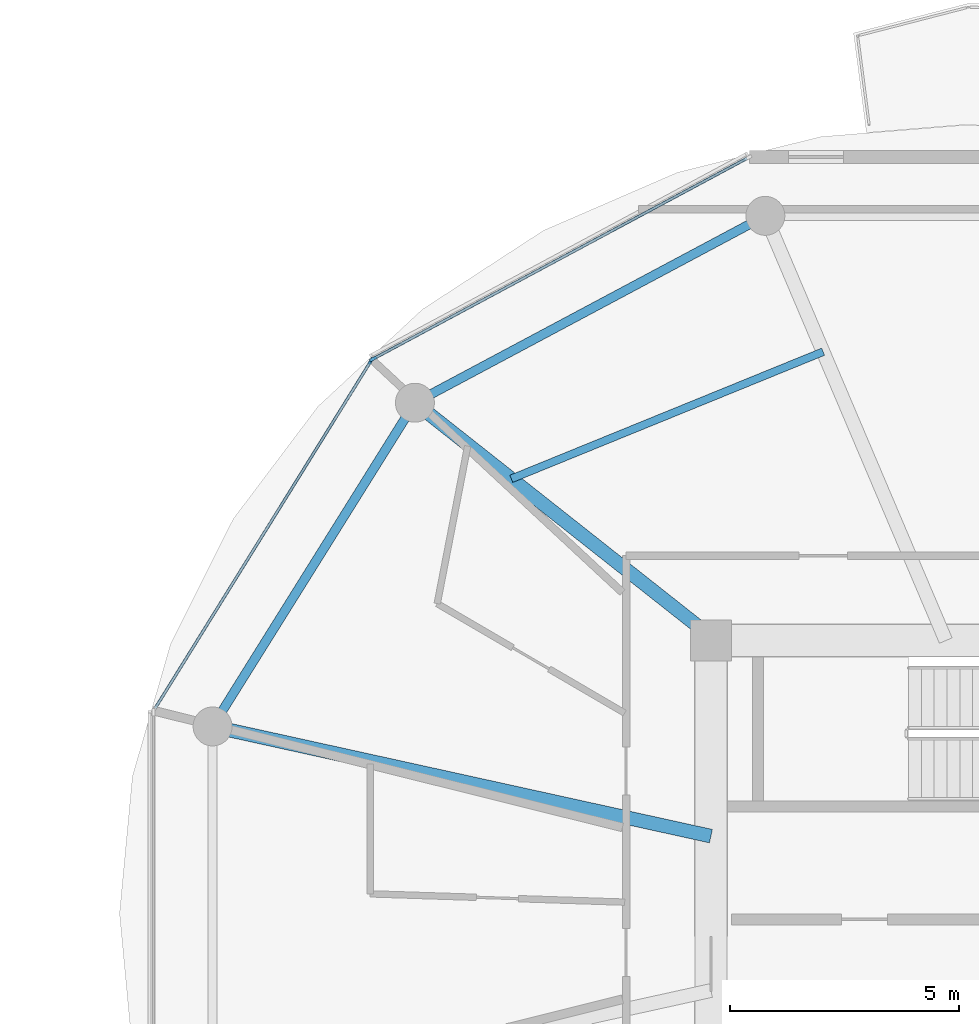
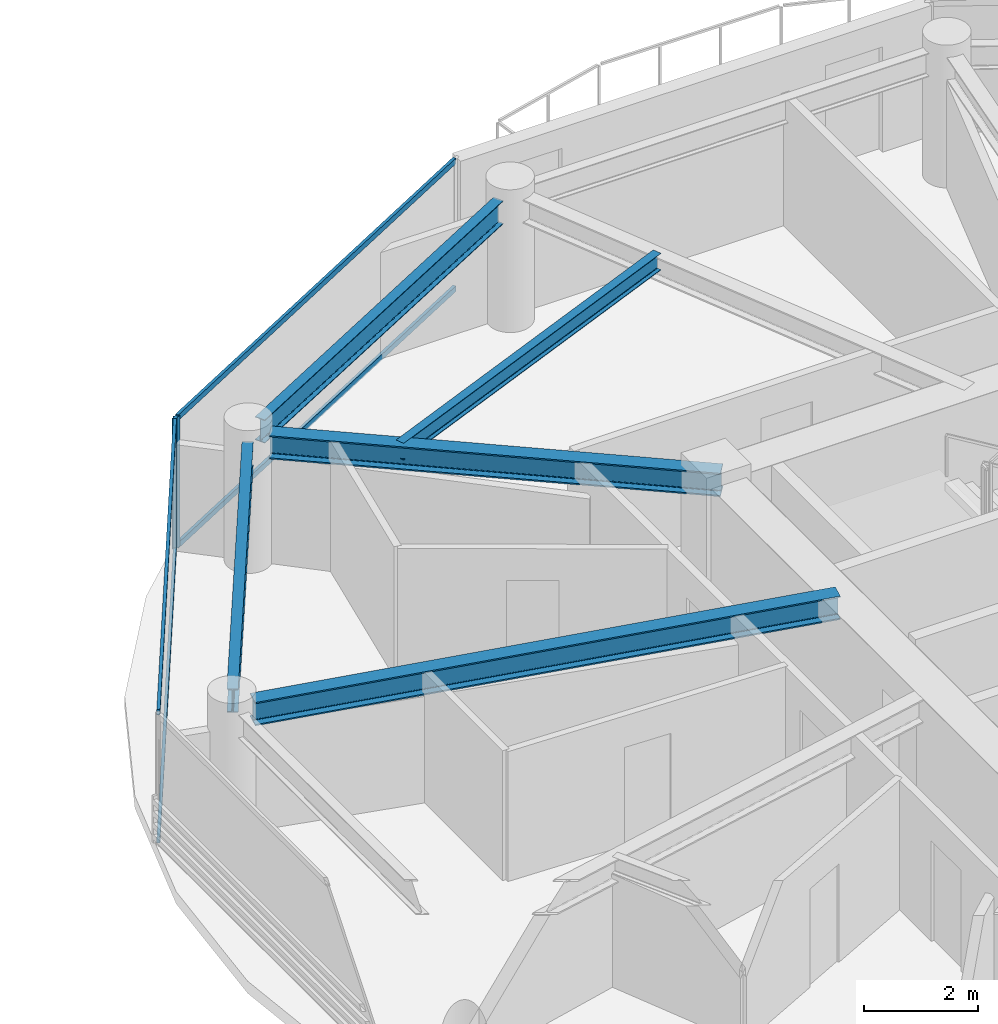
# One storey, part 8 of 24: 6 members, 5 beams, 2 elements without a shape of their own.
"""IFC4 building model written with IfcOpenShell, lengths in metres."""

import ifcopenshell
import ifcopenshell.guid

model = None  # the IFC model being written
_history = None  # IfcOwnerHistory: only IFC2X3 demands one
_inside = {}  # id of a spatial element -> (the spatial element, [elements in it])
_under = {}  # id of a project, library or spatial element -> (it, [spatial elements below it])
_declared = {}  # id of a project -> (the project, [libraries it declares])
_typed = {}  # id of a type object -> (the type object, [elements of that type])
_made_of = {}  # id of a material, layer set ... -> (it, [elements and type objects made of it])


def new_model(schema):
    """Start an empty IFC model of exactly this schema.

    Asked for "IFC4X3", IfcOpenShell would pick the latest addendum, in which some entities
    have other attributes; the version numbers below select the first issue.
    IFC2X3 requires an IfcOwnerHistory on every rooted entity: one is made here for all.
    """
    global model, _history
    if schema == "IFC4X3":
        model = ifcopenshell.file(schema_version=(4, 3, 0, 0))
    else:
        model = ifcopenshell.file(schema=schema)
    _inside.clear()
    _under.clear()
    _declared.clear()
    _typed.clear()
    _made_of.clear()
    _history = None
    if model.schema == "IFC2X3":
        org = make("IfcOrganization", Name="unknown")
        user = make(
            "IfcPersonAndOrganization",
            ThePerson=make("IfcPerson", FamilyName="unknown"),
            TheOrganization=org,
        )
        app = make(
            "IfcApplication",
            ApplicationDeveloper=org,
            Version="unknown",
            ApplicationFullName="unknown",
            ApplicationIdentifier="unknown",
        )
        _history = make(
            "IfcOwnerHistory",
            OwningUser=user,
            OwningApplication=app,
            ChangeAction="ADDED",
            CreationDate=0,
        )
    return model


def make(cls, **values):
    """One entity of the class cls with the attributes given. An attribute that is None is left unset."""
    return model.create_entity(
        cls, **{name: value for name, value in values.items() if value is not None}
    )


def rooted(cls, **values):
    """An entity with a GlobalId (a new one), such as an element, a storey or a relation."""
    return make(cls, GlobalId=ifcopenshell.guid.new(), OwnerHistory=_history, **values)


def si_unit(unit_type, name, prefix=None):
    """IfcSIUnit, for example si_unit("LENGTHUNIT", "METRE", prefix="MILLI")."""
    return make("IfcSIUnit", UnitType=unit_type, Prefix=prefix, Name=name)


def assignment(units):
    """IfcUnitAssignment: the units of a project."""
    return None if units is None else make("IfcUnitAssignment", Units=units)


def point(xyz):
    """IfcCartesianPoint."""
    return None if xyz is None else make("IfcCartesianPoint", Coordinates=xyz)


def direction(xyz):
    """IfcDirection."""
    return None if xyz is None else make("IfcDirection", DirectionRatios=xyz)


def frame(location, z_axis=None, x_axis=None):
    """IfcAxis2Placement3D, a coordinate frame: its origin and axes. An axis left out is left unset."""
    return make(
        "IfcAxis2Placement3D",
        Location=point(location),
        Axis=direction(z_axis),
        RefDirection=direction(x_axis),
    )


def frame_2d(location, x_axis=None):
    """IfcAxis2Placement2D, a coordinate frame in the plane: its origin and x axis."""
    return make(
        "IfcAxis2Placement2D", Location=point(location), RefDirection=direction(x_axis)
    )


def origin():
    """The frame at (0, 0, 0) with its axes left unset."""
    return frame((0.0, 0.0, 0.0))


def origin_2d():
    """The frame at (0, 0) in the plane with its x axis left unset."""
    return frame_2d((0.0, 0.0))


def place(relative_to, where):
    """IfcLocalPlacement: puts the frame where relative to a parent placement (None: the world)."""
    return make(
        "IfcLocalPlacement", PlacementRelTo=relative_to, RelativePlacement=where
    )


def context(
    kind, dimensions, precision=None, world=None, true_north=None, identifier=None
):
    """IfcGeometricRepresentationContext, for example the 3D "Model" context."""
    return make(
        "IfcGeometricRepresentationContext",
        ContextIdentifier=identifier,
        ContextType=kind,
        CoordinateSpaceDimension=dimensions,
        Precision=precision,
        WorldCoordinateSystem=world,
        TrueNorth=true_north,
    )


def subcontext(parent, identifier, kind, view, scale=None):
    """IfcGeometricRepresentationSubContext, for example "Body" below "Model"."""
    return make(
        "IfcGeometricRepresentationSubContext",
        ContextIdentifier=identifier,
        ContextType=kind,
        ParentContext=parent,
        TargetScale=scale,
        TargetView=view,
    )


def project(units=None, contexts=None):
    """IfcProject with its units and contexts."""
    return rooted(
        "IfcProject",
        Name="project",
        RepresentationContexts=contexts,
        UnitsInContext=assignment(units),
    )


def spatial(cls, under=None, at=None, **own):
    """A site, building, storey or space (cls), placed at a placement, below another one or the project."""
    s = rooted(cls, ObjectPlacement=at, **own)
    if under is not None:
        _under.setdefault(under.id(), (under, []))[1].append(s)
    return s


def profile(cls, at=None, kind="AREA", **sizes):
    """A parametric profile (cls). Its sizes go by their IFC names, for example OverallWidth=200.0."""
    return make(cls, ProfileType=kind, Position=at, **sizes)


def rectangle(**sizes):
    """IfcRectangleProfileDef."""
    return profile("IfcRectangleProfileDef", **sizes)


def i_section(**sizes):
    """IfcIShapeProfileDef."""
    return profile("IfcIShapeProfileDef", **sizes)


def extrude(swept, where, along, depth):
    """IfcExtrudedAreaSolid: the profile swept, set in the frame where, extruded along a direction by depth."""
    return make(
        "IfcExtrudedAreaSolid",
        SweptArea=swept,
        Position=where,
        ExtrudedDirection=direction(along),
        Depth=depth,
    )


def shape(context_of_items, identifier, shape_type, items):
    """IfcShapeRepresentation: the items that make up one representation, for example the "Body"."""
    return make(
        "IfcShapeRepresentation",
        ContextOfItems=context_of_items,
        RepresentationIdentifier=identifier,
        RepresentationType=shape_type,
        Items=items,
    )


def source(mapping_origin, context_of_items, identifier, shape_type, items):
    """IfcRepresentationMap: a shape defined once, which mapped items show again and again."""
    return make(
        "IfcRepresentationMap",
        MappingOrigin=mapping_origin,
        MappedRepresentation=shape(context_of_items, identifier, shape_type, items),
    )


def transform(
    local_origin,
    x_axis=None,
    y_axis=None,
    z_axis=None,
    scale=None,
    scale2=None,
    scale3=None,
    uniform=True,
):
    """IfcCartesianTransformationOperator3D, or its non-uniform kind. x_axis, y_axis, z_axis: its Axis1, 2, 3."""
    if uniform:
        return make(
            "IfcCartesianTransformationOperator3D",
            Axis1=direction(x_axis),
            Axis2=direction(y_axis),
            LocalOrigin=point(local_origin),
            Scale=scale,
            Axis3=direction(z_axis),
        )
    return make(
        "IfcCartesianTransformationOperator3DnonUniform",
        Axis1=direction(x_axis),
        Axis2=direction(y_axis),
        LocalOrigin=point(local_origin),
        Scale=scale,
        Axis3=direction(z_axis),
        Scale2=scale2,
        Scale3=scale3,
    )


def mapped(mapping_source, mapping_target):
    """IfcMappedItem: shows the shape of a source again, moved by a transform."""
    return make(
        "IfcMappedItem", MappingSource=mapping_source, MappingTarget=mapping_target
    )


def material(Name=None, Category=None):
    """IfcMaterial."""
    return make("IfcMaterial", Name=Name, Category=Category)


def layer(
    of_material, thickness, ventilated=None, Name=None, Category=None, Priority=None
):
    """IfcMaterialLayer: one layer of a wall or slab, of a material (None: an air gap)."""
    return make(
        "IfcMaterialLayer",
        Material=of_material,
        LayerThickness=thickness,
        IsVentilated=ventilated,
        Name=Name,
        Category=Category,
        Priority=Priority,
    )


def layer_set(layers, Name=None):
    """IfcMaterialLayerSet."""
    return make("IfcMaterialLayerSet", MaterialLayers=layers, LayerSetName=Name)


def material_profile(
    of_material, cross_section, Name=None, Category=None, Priority=None
):
    """IfcMaterialProfile: a cross section and its material."""
    return make(
        "IfcMaterialProfile",
        Name=Name,
        Material=of_material,
        Profile=cross_section,
        Priority=Priority,
        Category=Category,
    )


def profile_set(profiles, Name=None, composite=None):
    """IfcMaterialProfileSet."""
    return make(
        "IfcMaterialProfileSet",
        Name=Name,
        MaterialProfiles=profiles,
        CompositeProfile=composite,
    )


def made_of(thing, what):
    """Note that an element or type object is made of a material, layer set ...; save() writes the relation."""
    if what is not None:
        _made_of.setdefault(what.id(), (what, []))[1].append(thing)
    return thing


def type_object(cls, material=None, **own):
    """A type object (cls), such as IfcWallType, which elements share."""
    return made_of(rooted(cls, **own), material)


def type_shapes(of_type, sources):
    """Give a type object the sources (RepresentationMaps) that its elements show as mapped items."""
    of_type.RepresentationMaps = sources


def element(
    cls,
    number,
    at=None,
    inside=None,
    cuts=None,
    type_object=None,
    material=None,
    context=None,
    identifier="Body",
    shape_type=None,
    held_by="IfcProductDefinitionShape",
    body=None,
    shapes=None,
    **own,
):
    """One element of the class cls, such as IfcWall. Its Tag is "e" and its number.

    at: its placement. inside: the storey or other place that contains it. cuts: it is an
    opening in that element (IfcRelVoidsElement). A single representation is given by context,
    identifier, shape_type and body (its items); several are given by shapes. held_by: the class
    of the entity that holds the representations. save() writes the other relations.
    """
    e = rooted(cls, Tag="e%d" % number, ObjectPlacement=at, **own)
    if body is not None:
        shapes = [shape(context, identifier, shape_type, body)]
    if shapes is not None:
        e.Representation = make(held_by, Representations=shapes)
    if inside is not None:
        _inside.setdefault(inside.id(), (inside, []))[1].append(e)
    if cuts is not None:
        rooted(
            "IfcRelVoidsElement", RelatingBuildingElement=cuts, RelatedOpeningElement=e
        )
    if type_object is not None:
        _typed.setdefault(type_object.id(), (type_object, []))[1].append(e)
    return made_of(e, material)


def aggregate(whole, parts):
    """IfcRelAggregates: a whole, such as a stair, and the parts it consists of."""
    return rooted("IfcRelAggregates", RelatingObject=whole, RelatedObjects=parts)


def save(model, path):
    """Write the relations noted so far, then the file.

    IfcRelAggregates (storeys below a building ...), IfcRelContainedInSpatialStructure (elements
    in a storey), IfcRelDefinesByType, IfcRelAssociatesMaterial and IfcRelDeclares: one each for
    every whole, place, type object, material and project.
    """
    for whole, parts in _under.values():
        aggregate(whole, parts)
    for where, things in _inside.values():
        rooted(
            "IfcRelContainedInSpatialStructure",
            RelatedElements=things,
            RelatingStructure=where,
        )
    for kind, things in _typed.values():
        rooted("IfcRelDefinesByType", RelatedObjects=things, RelatingType=kind)
    for what, things in _made_of.values():
        rooted("IfcRelAssociatesMaterial", RelatedObjects=things, RelatingMaterial=what)
    for by, libraries in _declared.values():
        rooted("IfcRelDeclares", RelatingContext=by, RelatedDefinitions=libraries)
    model.write(path)


model = new_model("IFC4")

# Units and contexts
model_context = context("Model", 3, precision=1e-05, world=origin(), true_north=direction((0.0, 1.0)))
body_context = subcontext(model_context, "Body", "Model", "MODEL_VIEW")
ifc_project = project(units=[si_unit("LENGTHUNIT", "METRE"), si_unit("AREAUNIT", "SQUARE_METRE"), si_unit("VOLUMEUNIT", "CUBIC_METRE"), si_unit("PLANEANGLEUNIT", "RADIAN"), si_unit("MASSUNIT", "GRAM", prefix="KILO")], contexts=[model_context])

# Site, building, storey
site_placement = place(None, origin())
site = spatial("IfcSite", under=ifc_project, at=site_placement, CompositionType="ELEMENT")
building_placement = place(site_placement, origin())
building = spatial("IfcBuilding", under=site, at=building_placement, Name="Norrkilde Senior Care Towers", CompositionType="ELEMENT")
storey_placement = place(building_placement, frame((0.0, 0.0, 108.449951171875)))
storey = spatial("IfcBuildingStorey", under=building, at=storey_placement, Name="L33", CompositionType="ELEMENT", Elevation=108.449951171875)

# Beams
ifc_material_1 = material(Name="Steel S355", Category="steel")
ifc_material_profile_1 = material_profile(ifc_material_1, i_section(OverallWidth=0.199951171875, OverallDepth=0.5, WebThickness=0.01025390625, FlangeThickness=0.01611328125, FilletRadius=0.02099609375, at=origin_2d()), Name="IPE 500")
ifc_profile_set_1 = profile_set([ifc_material_profile_1], Name="Steel S355")
beam_type_1 = type_object("IfcBeamType", Name="Perimeter Ring Spandrel Z2 IPE500", PredefinedType="SPANDREL", material=ifc_profile_set_1)
shared_shape_1 = source(origin(), body_context, "Body", "SweptSolid", [
    extrude(i_section(OverallWidth=0.199951171875, OverallDepth=0.5, WebThickness=0.01025390625, FlangeThickness=0.01611328125, FilletRadius=0.02099609375, at=origin_2d()), origin(), (0.0, 0.0, 1.0), 7.55615234375),
])
beam_1_placement = place(storey_placement, frame((13.689697265625, 10.810546875, 2.5400390625), z_axis=(-0.529981514254, -0.848009194849, 0.0), x_axis=(0.848009194849, -0.529981514254, 0.0)))
element("IfcBeam", 1, at=beam_1_placement, inside=storey, type_object=beam_type_1, Name="L33 Drum E Perimeter Spandrel 05", PredefinedType="SPANDREL", context=body_context, shape_type="MappedRepresentation", body=[
    mapped(shared_shape_1, transform((0.0, 0.0, 0.0), x_axis=(1.0, 0.0, 0.0), y_axis=(0.0, 1.0, 0.0), z_axis=(0.0, 0.0, 1.0), scale=1.0)),
])
ifc_material_profile_2 = material_profile(ifc_material_1, i_section(OverallWidth=0.300048828125, OverallDepth=0.5, WebThickness=0.014404296875, FlangeThickness=0.028076171875, FilletRadius=0.027099609375, at=origin_2d()), Name="HEB 500")
ifc_profile_set_2 = profile_set([ifc_material_profile_2], Name="Steel S355")
beam_type_2 = type_object("IfcBeamType", Name="Radial Floor Beam Z2 HEB500", PredefinedType="BEAM", material=ifc_profile_set_2)
shared_shape_2 = source(origin(), body_context, "Body", "SweptSolid", [
    extrude(i_section(OverallWidth=0.300048828125, OverallDepth=0.5, WebThickness=0.014404296875, FlangeThickness=0.028076171875, FilletRadius=0.027099609375, at=origin_2d()), origin(), (0.0, 0.0, 1.0), 10.744384765625),
])
beam_2_placement = place(storey_placement, frame((20.35009765625, 1.683837890625, 2.5400390625), z_axis=(-0.976618711422, 0.214978818724, 0.0), x_axis=(-0.214978818724, -0.976618711422, 0.0)))
element("IfcBeam", 2, at=beam_2_placement, inside=storey, type_object=beam_type_2, Name="L33 Drum E Radial Floor Beam 06", PredefinedType="BEAM", context=body_context, shape_type="MappedRepresentation", body=[
    mapped(shared_shape_2, transform((0.0, 0.0, 0.0), x_axis=(1.0, 0.0, 0.0), y_axis=(0.0, 1.0, 0.0), z_axis=(0.0, 0.0, 1.0), scale=1.0)),
])
shared_shape_3 = source(origin(), body_context, "Body", "SweptSolid", [
    extrude(i_section(OverallWidth=0.199951171875, OverallDepth=0.5, WebThickness=0.01025390625, FlangeThickness=0.01611328125, FilletRadius=0.02099609375, at=origin_2d()), origin(), (0.0, 0.0, 1.0), 7.892333984375),
])
type_shapes(beam_type_1, [shared_shape_1, shared_shape_3])
beam_3_placement = place(storey_placement, frame((21.197509765625, 15.0322265625, 2.5400390625), z_axis=(-0.882350372282, -0.47059305194, 0.0), x_axis=(0.47059305194, -0.882350372282, 0.0)))
element("IfcBeam", 3, at=beam_3_placement, inside=storey, type_object=beam_type_1, Name="L33 Drum E Perimeter Spandrel 04", PredefinedType="SPANDREL", context=body_context, shape_type="MappedRepresentation", body=[
    mapped(shared_shape_3, transform((0.0, 0.0, 0.0), x_axis=(1.0, 0.0, 0.0), y_axis=(0.0, 1.0, 0.0), z_axis=(0.0, 0.0, 1.0), scale=1.0)),
])
shared_shape_4 = source(origin(), body_context, "Body", "SweptSolid", [
    extrude(i_section(OverallWidth=0.300048828125, OverallDepth=0.5, WebThickness=0.014404296875, FlangeThickness=0.028076171875, FilletRadius=0.027099609375, at=origin_2d()), origin(), (0.0, 0.0, 1.0), 7.985595703125),
])
type_shapes(beam_type_2, [shared_shape_2, shared_shape_4])
beam_4_placement = place(storey_placement, frame((20.463623046875, 5.949951171875, 2.5400390625), z_axis=(-0.784858505144, 0.619675017169, 0.0), x_axis=(-0.619675017169, -0.784858505144, 0.0)))
element("IfcBeam", 4, at=beam_4_placement, inside=storey, type_object=beam_type_2, Name="L33 Drum E Radial Floor Beam 05", PredefinedType="BEAM", context=body_context, shape_type="MappedRepresentation", body=[
    mapped(shared_shape_4, transform((0.0, 0.0, 0.0), x_axis=(1.0, 0.0, 0.0), y_axis=(0.0, 1.0, 0.0), z_axis=(0.0, 0.0, 1.0), scale=1.0)),
])
ifc_material_profile_3 = material_profile(ifc_material_1, i_section(OverallWidth=0.169921875, OverallDepth=0.360107421875, WebThickness=0.008056640625, FlangeThickness=0.0126953125, FilletRadius=0.01806640625, at=origin_2d()), Name="IPE 360")
ifc_profile_set_3 = profile_set([ifc_material_profile_3], Name="Steel S355")
beam_type_3 = type_object("IfcBeamType", Name="Secondary Floor Joist IPE360", PredefinedType="JOIST", material=ifc_profile_set_3)
shared_shape_5 = source(origin(), body_context, "Body", "SweptSolid", [
    extrude(i_section(OverallWidth=0.169921875, OverallDepth=0.360107421875, WebThickness=0.008056640625, FlangeThickness=0.0126953125, FilletRadius=0.01806640625, at=origin_2d()), origin(), (0.0, 0.0, 1.0), 7.343505859375),
])
type_shapes(beam_type_3, [shared_shape_5])
beam_5_placement = place(storey_placement, frame((22.79638671875, 12.2490234375, 2.610107421875), z_axis=(-0.926021784767, -0.377470070519, 0.0), x_axis=(0.377470070519, -0.926021784767, 0.0)))
element("IfcBeam", 5, at=beam_5_placement, inside=storey, type_object=beam_type_3, Name="L33 Drum E Secondary Floor Joist 2", PredefinedType="JOIST", context=body_context, shape_type="MappedRepresentation", body=[
    mapped(shared_shape_5, transform((0.0, 0.0, 0.0), x_axis=(1.0, 0.0, 0.0), y_axis=(0.0, 1.0, 0.0), z_axis=(0.0, 0.0, 1.0), scale=1.0)),
])

# Curtain wall, member
ifc_material_2 = material(Name="Triple Low-E Insulated Glazing", Category="glass")
ifc_layer = layer(ifc_material_2, 0.195068359375)
ifc_layer_set = layer_set([ifc_layer], Name="Triple Low-E Insulated Glazing")
curtain_wall_type = type_object("IfcCurtainWallType", Name="CW3 Zone 2 Assisted Living Curtain Wall", PredefinedType="NOTDEFINED", material=ifc_layer_set)
curtain_wall_1_placement = place(storey_placement, origin())
curtain_wall_1 = element("IfcCurtainWall", 6, at=curtain_wall_1_placement, inside=storey, type_object=curtain_wall_type, Name="L33 Drum E Curtain Wall 03", PredefinedType="NOTDEFINED")
ifc_material_3 = material(Name="Anodised Aluminium", Category="aluminium")
ifc_material_profile_4 = material_profile(ifc_material_3, rectangle(XDim=0.06494140625, YDim=0.159912109375, at=origin_2d()), Name="ALU MULL 65x160")
ifc_profile_set_4 = profile_set([ifc_material_profile_4], Name="Anodised Aluminium")
member_type_1 = type_object("IfcMemberType", Name="Curtain Wall Mullion Z1-Z2 65x160", PredefinedType="MULLION", material=ifc_profile_set_4)
shared_shape_6 = source(origin(), body_context, "Body", "SweptSolid", [
    extrude(rectangle(XDim=0.06494140625, YDim=0.159912109375, at=origin_2d()), origin(), (0.0, 0.0, 1.0), 2.7900390625),
])
type_shapes(member_type_1, [shared_shape_6])
member_1_placement = place(storey_placement, frame((12.98193359375, 12.0927734375, 0.0), z_axis=(0.0, 0.0, 1.0), x_axis=(-0.472769402511, 0.881186184668, 0.0)))
member_1 = element("IfcMember", 7, at=member_1_placement, type_object=member_type_1, Name="CW-3 mullion 1", PredefinedType="MULLION", context=body_context, shape_type="MappedRepresentation", body=[
    mapped(shared_shape_6, transform((0.0, 0.0, 0.0), x_axis=(1.0, 0.0, 0.0), y_axis=(0.0, 1.0, 0.0), z_axis=(0.0, 0.0, 1.0), scale=1.0)),
])

# Curtain wall, members
curtain_wall_2_placement = place(storey_placement, origin())
curtain_wall_2 = element("IfcCurtainWall", 8, at=curtain_wall_2_placement, inside=storey, type_object=curtain_wall_type, Name="L33 Drum E Curtain Wall 04", PredefinedType="NOTDEFINED")
member_2_placement = place(storey_placement, frame((12.936279296875, 12.0498046875, 0.0), z_axis=(0.0, 0.0, 1.0), x_axis=(-0.849410171862, 0.527733228002, 0.0)))
member_2 = element("IfcMember", 9, at=member_2_placement, type_object=member_type_1, Name="CW-3 mullion 2", PredefinedType="MULLION", context=body_context, shape_type="MappedRepresentation", body=[
    mapped(shared_shape_6, transform((0.0, 0.0, 0.0), x_axis=(1.0, 0.0, 0.0), y_axis=(0.0, 1.0, 0.0), z_axis=(0.0, 0.0, 1.0), scale=1.0)),
])
ifc_material_profile_5 = material_profile(ifc_material_3, rectangle(XDim=0.06005859375, YDim=0.1201171875, at=origin_2d()), Name="ALU TRAN 60x120")
ifc_profile_set_5 = profile_set([ifc_material_profile_5], Name="Anodised Aluminium")
member_type_2 = type_object("IfcMemberType", Name="Curtain Wall Transom Typical 60x120", PredefinedType="USERDEFINED", material=ifc_profile_set_5)
shared_shape_7 = source(origin(), body_context, "Body", "SweptSolid", [
    extrude(rectangle(XDim=0.06005859375, YDim=0.1201171875, at=origin_2d()), origin(), (0.0, 0.0, 1.0), 8.88427734375),
])
member_3_placement = place(storey_placement, frame((8.23046875, 4.475830078125, 0.030029296875), z_axis=(0.527749293309, 0.849400190377, 0.0), x_axis=(-0.849400190377, 0.527749293309, 0.0)))
member_3 = element("IfcMember", 10, at=member_3_placement, type_object=member_type_2, Name="CW-3 transom 1.1", ObjectType="TRANSOM", PredefinedType="USERDEFINED", context=body_context, shape_type="MappedRepresentation", body=[
    mapped(shared_shape_7, transform((0.0, 0.0, 0.0), x_axis=(1.0, 0.0, 0.0), y_axis=(0.0, 1.0, 0.0), z_axis=(0.0, 0.0, 1.0), scale=1.0)),
])
member_4_placement = place(storey_placement, frame((8.23046875, 4.475830078125, 2.760009765625), z_axis=(0.527749293309, 0.849400190377, 0.0), x_axis=(-0.849400190377, 0.527749293309, 0.0)))
member_4 = element("IfcMember", 11, at=member_4_placement, type_object=member_type_2, Name="CW-3 transom 1.2", ObjectType="TRANSOM", PredefinedType="USERDEFINED", context=body_context, shape_type="MappedRepresentation", body=[
    mapped(shared_shape_7, transform((0.0, 0.0, 0.0), x_axis=(1.0, 0.0, 0.0), y_axis=(0.0, 1.0, 0.0), z_axis=(0.0, 0.0, 1.0), scale=1.0)),
])
aggregate(curtain_wall_2, [member_2, member_3, member_4])

# Member
shared_shape_8 = source(origin(), body_context, "Body", "SweptSolid", [
    extrude(rectangle(XDim=0.06005859375, YDim=0.1201171875, at=origin_2d()), origin(), (0.0, 0.0, 1.0), 9.220458984375),
])
type_shapes(member_type_2, [shared_shape_7, shared_shape_8])
member_5_placement = place(storey_placement, frame((13.0107421875, 12.108154296875, 0.030029296875), z_axis=(0.881188517866, 0.472765053681, 0.0), x_axis=(-0.472765053681, 0.881188517866, 0.0)))
member_5 = element("IfcMember", 12, at=member_5_placement, type_object=member_type_2, Name="CW-3 transom 1.1", ObjectType="TRANSOM", PredefinedType="USERDEFINED", context=body_context, shape_type="MappedRepresentation", body=[
    mapped(shared_shape_8, transform((0.0, 0.0, 0.0), x_axis=(1.0, 0.0, 0.0), y_axis=(0.0, 1.0, 0.0), z_axis=(0.0, 0.0, 1.0), scale=1.0)),
])

member_6_placement = place(storey_placement, frame((13.0107421875, 12.108154296875, 2.760009765625), z_axis=(0.881188517866, 0.472765053681, 0.0), x_axis=(-0.472765053681, 0.881188517866, 0.0)))
member_6 = element("IfcMember", 13, at=member_6_placement, type_object=member_type_2, Name="CW-3 transom 1.2", ObjectType="TRANSOM", PredefinedType="USERDEFINED", context=body_context, shape_type="MappedRepresentation", body=[
    mapped(shared_shape_8, transform((0.0, 0.0, 0.0), x_axis=(1.0, 0.0, 0.0), y_axis=(0.0, 1.0, 0.0), z_axis=(0.0, 0.0, 1.0), scale=1.0)),
])

aggregate(curtain_wall_1, [member_1, member_5, member_6])

save(model, "model.ifc")
